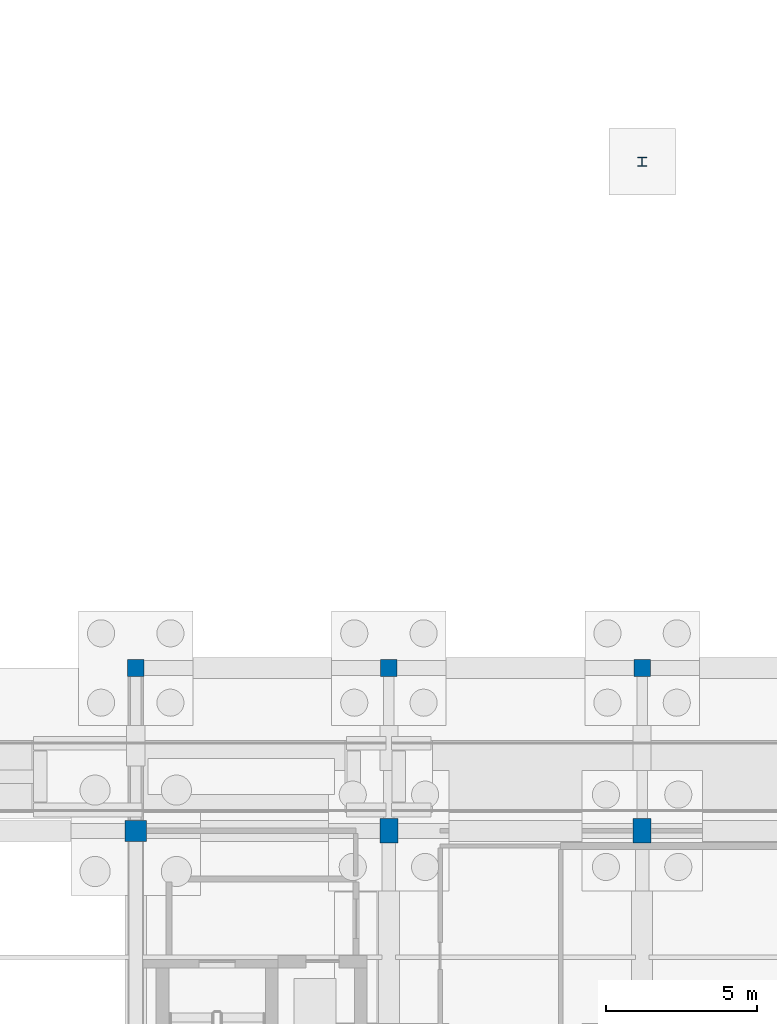
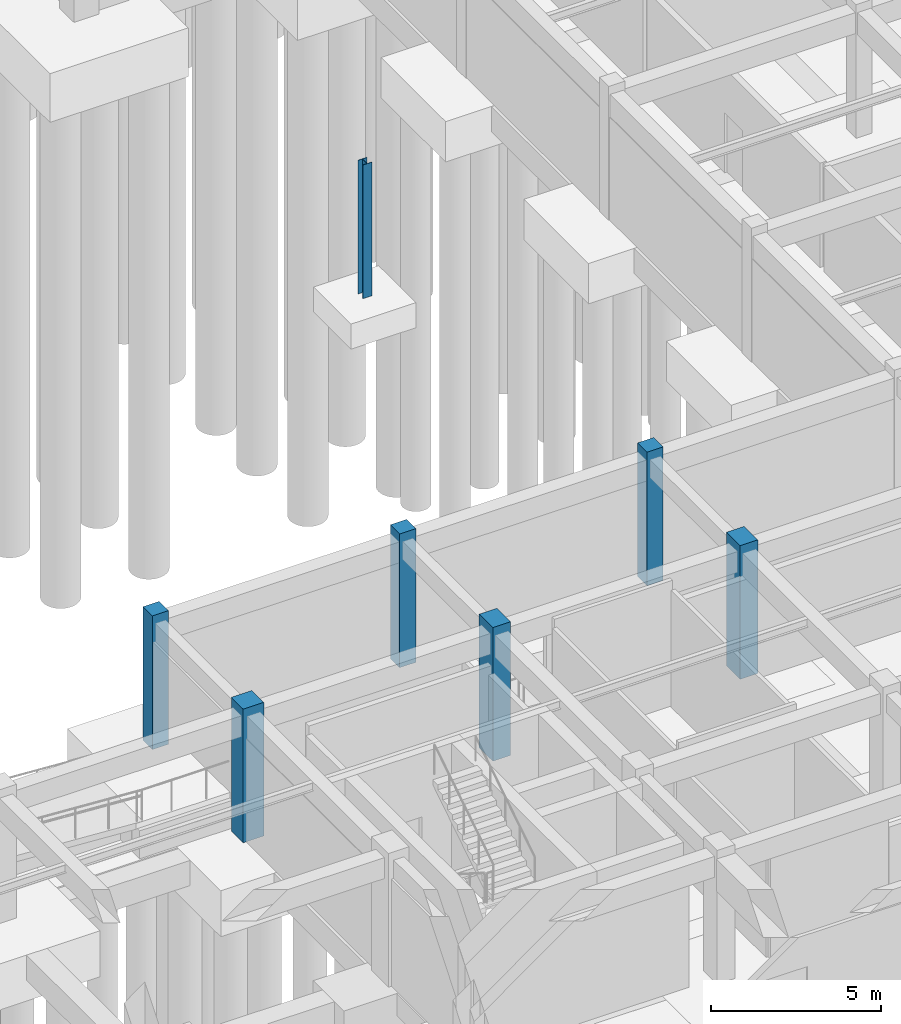
# One storey, part 21 of 49: 7 columns.
"""IFC4 building model written with IfcOpenShell, lengths in metres."""

from ifc_helpers import new_model, si_unit, direction, frame, origin, origin_2d, place, context, subcontext, project, spatial, rectangle, i_section, extrude, material, material_profile, profile_set, type_object, element, save


model = new_model("IFC4")

# Units and contexts
model_context = context("Model", 3, precision=1e-05, world=origin(), true_north=direction((0.0, 1.0)))
body_context = subcontext(model_context, "Body", "Model", "MODEL_VIEW")
ifc_project = project(units=[si_unit("LENGTHUNIT", "METRE"), si_unit("AREAUNIT", "SQUARE_METRE"), si_unit("VOLUMEUNIT", "CUBIC_METRE"), si_unit("PLANEANGLEUNIT", "RADIAN"), si_unit("MASSUNIT", "GRAM", prefix="KILO")], contexts=[model_context])

# Site, building, storey
site_placement = place(None, origin())
site = spatial("IfcSite", under=ifc_project, at=site_placement, CompositionType="ELEMENT")
building_placement = place(site_placement, origin())
building = spatial("IfcBuilding", under=site, at=building_placement, Name="Krzemoval Escarpment Law Courts", CompositionType="ELEMENT")
storey_placement = place(building_placement, frame((0.0, 0.0, -4.800048828125)))
storey = spatial("IfcBuildingStorey", under=building, at=storey_placement, Name="B1", CompositionType="ELEMENT", Elevation=-4.800048828125)

# Columns
ifc_material_1 = material(Name="Concrete C40/50", Category="concrete")
ifc_material_profile_1 = material_profile(ifc_material_1, rectangle(XDim=0.550048828125, YDim=0.550048828125, at=origin_2d()), Name="RC 550x550")
ifc_profile_set_1 = profile_set([ifc_material_profile_1], Name="Concrete C40/50")
column_type_1 = type_object("IfcColumnType", Name="COL-RC-550", PredefinedType="COLUMN", material=ifc_profile_set_1)
for number, where, z_axis, x_axis, name in (
    (1, (109.199951171875, 40.800048828125, 0.0), (0.0, 0.0, 1.0), (1.0, 0.0, 0.0), "Column FC-B1-0156"),
    (2, (117.60009765625, 40.800048828125, 0.0), (0.0, 0.0, 1.0), (1.0, 0.0, 0.0), "Column FC-B1-0165"),
    (3, (126.0, 40.800048828125, 0.0), (0.0, 0.0, 1.0), (1.0, 0.0, 0.0), "Column FC-B1-0174"),
):
    element("IfcColumn", number, at=place(storey_placement, frame(where, z_axis=z_axis, x_axis=x_axis)), inside=storey, type_object=column_type_1, Name=name, PredefinedType="COLUMN", context=body_context, shape_type="SweptSolid", body=[
        extrude(rectangle(XDim=0.550048828125, YDim=0.550048828125, at=origin_2d()), origin(), (0.0, 0.0, 1.0), 4.800048828125),
    ])
ifc_material_2 = material(Name="Concrete C40/50", Category="concrete")
ifc_material_profile_2 = material_profile(ifc_material_2, rectangle(XDim=0.60009765625, YDim=0.800048828125, at=origin_2d()), Name="RC 600x800")
ifc_profile_set_2 = profile_set([ifc_material_profile_2], Name="Concrete C40/50")
column_type_2 = type_object("IfcColumnType", Name="COL-RC-600x800", PredefinedType="COLUMN", material=ifc_profile_set_2)
for number, where, z_axis, x_axis, name in (
    (4, (117.60009765625, 35.39990234375, 0.0), (0.0, 0.0, 1.0), (1.0, 0.0, 0.0), "Column FC-B1-0164"),
    (5, (126.0, 35.39990234375, 0.0), (0.0, 0.0, 1.0), (1.0, 0.0, 0.0), "Column FC-B1-0173"),
):
    element("IfcColumn", number, at=place(storey_placement, frame(where, z_axis=z_axis, x_axis=x_axis)), inside=storey, type_object=column_type_2, Name=name, PredefinedType="COLUMN", context=body_context, shape_type="SweptSolid", body=[
        extrude(rectangle(XDim=0.60009765625, YDim=0.800048828125, at=origin_2d()), origin(), (0.0, 0.0, 1.0), 4.800048828125),
    ])
ifc_material_3 = material(Name="Concrete C40/50", Category="concrete")
ifc_material_profile_3 = material_profile(ifc_material_3, rectangle(XDim=0.699951171875, YDim=0.699951171875, at=origin_2d()), Name="RC 700x700")
ifc_profile_set_3 = profile_set([ifc_material_profile_3], Name="Concrete C40/50")
column_type_3 = type_object("IfcColumnType", Name="COL-RC-700", PredefinedType="COLUMN", material=ifc_profile_set_3)
column_1_placement = place(storey_placement, frame((109.199951171875, 35.39990234375, 0.0), z_axis=(0.0, 0.0, 1.0), x_axis=(1.0, 0.0, 0.0)))
element("IfcColumn", 6, at=column_1_placement, inside=storey, type_object=column_type_3, Name="Column FC-B1-0155", PredefinedType="COLUMN", context=body_context, shape_type="SweptSolid", body=[
    extrude(rectangle(XDim=0.699951171875, YDim=0.699951171875, at=origin_2d()), origin(), (0.0, 0.0, 1.0), 4.800048828125),
])
ifc_material_4 = material(Name="Steel S355", Category="steel")
ifc_material_profile_4 = material_profile(ifc_material_4, i_section(OverallWidth=0.300048828125, OverallDepth=0.300048828125, WebThickness=0.010986328125, FlangeThickness=0.01904296875, at=origin_2d()), Name="HEB 300")
ifc_profile_set_4 = profile_set([ifc_material_profile_4], Name="Steel S355")
column_type_4 = type_object("IfcColumnType", Name="COL-S355-HEB300", PredefinedType="COLUMN", material=ifc_profile_set_4)
column_2_placement = place(storey_placement, frame((126.0, 57.60009765625, 0.0), z_axis=(0.0, 0.0, 1.0), x_axis=(1.0, 0.0, 0.0)))
element("IfcColumn", 7, at=column_2_placement, inside=storey, type_object=column_type_4, Name="Passage Canopy Column B1 126", PredefinedType="COLUMN", context=body_context, shape_type="SweptSolid", body=[
    extrude(i_section(OverallWidth=0.300048828125, OverallDepth=0.300048828125, WebThickness=0.010986328125, FlangeThickness=0.01904296875, at=origin_2d()), origin(), (0.0, 0.0, 1.0), 4.800048828125),
])

save(model, "model.ifc")
